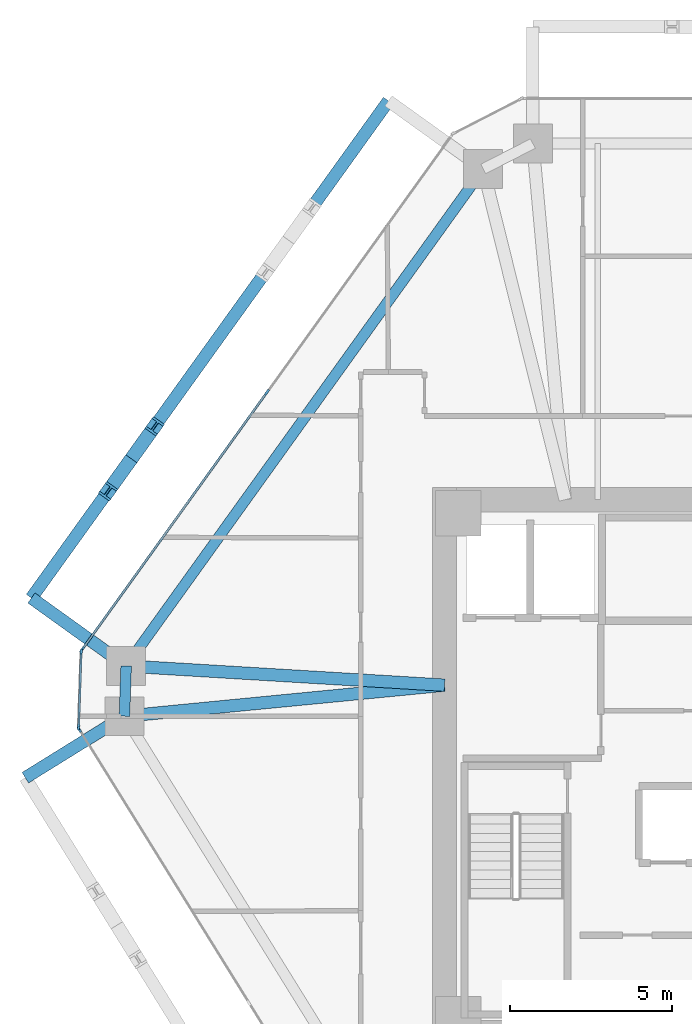
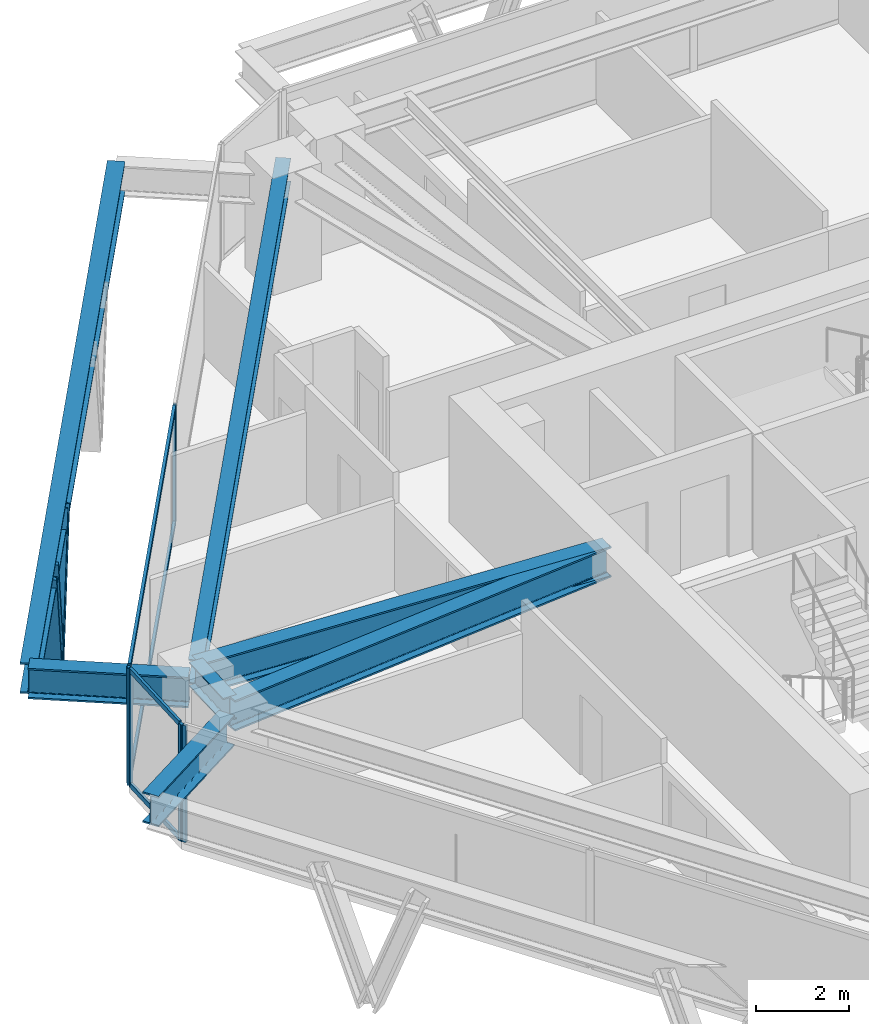
# One storey, part 4 of 14: 11 members, 7 beams, 3 elements without a shape of their own.
"""IFC4 building model written with IfcOpenShell, lengths in metres."""

import ifcopenshell
import ifcopenshell.guid

model = None  # the IFC model being written
_history = None  # IfcOwnerHistory: only IFC2X3 demands one
_inside = {}  # id of a spatial element -> (the spatial element, [elements in it])
_under = {}  # id of a project, library or spatial element -> (it, [spatial elements below it])
_declared = {}  # id of a project -> (the project, [libraries it declares])
_typed = {}  # id of a type object -> (the type object, [elements of that type])
_made_of = {}  # id of a material, layer set ... -> (it, [elements and type objects made of it])


def new_model(schema):
    """Start an empty IFC model of exactly this schema.

    Asked for "IFC4X3", IfcOpenShell would pick the latest addendum, in which some entities
    have other attributes; the version numbers below select the first issue.
    IFC2X3 requires an IfcOwnerHistory on every rooted entity: one is made here for all.
    """
    global model, _history
    if schema == "IFC4X3":
        model = ifcopenshell.file(schema_version=(4, 3, 0, 0))
    else:
        model = ifcopenshell.file(schema=schema)
    _inside.clear()
    _under.clear()
    _declared.clear()
    _typed.clear()
    _made_of.clear()
    _history = None
    if model.schema == "IFC2X3":
        org = make("IfcOrganization", Name="unknown")
        user = make(
            "IfcPersonAndOrganization",
            ThePerson=make("IfcPerson", FamilyName="unknown"),
            TheOrganization=org,
        )
        app = make(
            "IfcApplication",
            ApplicationDeveloper=org,
            Version="unknown",
            ApplicationFullName="unknown",
            ApplicationIdentifier="unknown",
        )
        _history = make(
            "IfcOwnerHistory",
            OwningUser=user,
            OwningApplication=app,
            ChangeAction="ADDED",
            CreationDate=0,
        )
    return model


def make(cls, **values):
    """One entity of the class cls with the attributes given. An attribute that is None is left unset."""
    return model.create_entity(
        cls, **{name: value for name, value in values.items() if value is not None}
    )


def rooted(cls, **values):
    """An entity with a GlobalId (a new one), such as an element, a storey or a relation."""
    return make(cls, GlobalId=ifcopenshell.guid.new(), OwnerHistory=_history, **values)


def si_unit(unit_type, name, prefix=None):
    """IfcSIUnit, for example si_unit("LENGTHUNIT", "METRE", prefix="MILLI")."""
    return make("IfcSIUnit", UnitType=unit_type, Prefix=prefix, Name=name)


def assignment(units):
    """IfcUnitAssignment: the units of a project."""
    return None if units is None else make("IfcUnitAssignment", Units=units)


def point(xyz):
    """IfcCartesianPoint."""
    return None if xyz is None else make("IfcCartesianPoint", Coordinates=xyz)


def direction(xyz):
    """IfcDirection."""
    return None if xyz is None else make("IfcDirection", DirectionRatios=xyz)


def frame(location, z_axis=None, x_axis=None):
    """IfcAxis2Placement3D, a coordinate frame: its origin and axes. An axis left out is left unset."""
    return make(
        "IfcAxis2Placement3D",
        Location=point(location),
        Axis=direction(z_axis),
        RefDirection=direction(x_axis),
    )


def frame_2d(location, x_axis=None):
    """IfcAxis2Placement2D, a coordinate frame in the plane: its origin and x axis."""
    return make(
        "IfcAxis2Placement2D", Location=point(location), RefDirection=direction(x_axis)
    )


def origin():
    """The frame at (0, 0, 0) with its axes left unset."""
    return frame((0.0, 0.0, 0.0))


def origin_2d():
    """The frame at (0, 0) in the plane with its x axis left unset."""
    return frame_2d((0.0, 0.0))


def place(relative_to, where):
    """IfcLocalPlacement: puts the frame where relative to a parent placement (None: the world)."""
    return make(
        "IfcLocalPlacement", PlacementRelTo=relative_to, RelativePlacement=where
    )


def context(
    kind, dimensions, precision=None, world=None, true_north=None, identifier=None
):
    """IfcGeometricRepresentationContext, for example the 3D "Model" context."""
    return make(
        "IfcGeometricRepresentationContext",
        ContextIdentifier=identifier,
        ContextType=kind,
        CoordinateSpaceDimension=dimensions,
        Precision=precision,
        WorldCoordinateSystem=world,
        TrueNorth=true_north,
    )


def subcontext(parent, identifier, kind, view, scale=None):
    """IfcGeometricRepresentationSubContext, for example "Body" below "Model"."""
    return make(
        "IfcGeometricRepresentationSubContext",
        ContextIdentifier=identifier,
        ContextType=kind,
        ParentContext=parent,
        TargetScale=scale,
        TargetView=view,
    )


def project(units=None, contexts=None):
    """IfcProject with its units and contexts."""
    return rooted(
        "IfcProject",
        Name="project",
        RepresentationContexts=contexts,
        UnitsInContext=assignment(units),
    )


def spatial(cls, under=None, at=None, **own):
    """A site, building, storey or space (cls), placed at a placement, below another one or the project."""
    s = rooted(cls, ObjectPlacement=at, **own)
    if under is not None:
        _under.setdefault(under.id(), (under, []))[1].append(s)
    return s


def profile(cls, at=None, kind="AREA", **sizes):
    """A parametric profile (cls). Its sizes go by their IFC names, for example OverallWidth=200.0."""
    return make(cls, ProfileType=kind, Position=at, **sizes)


def rectangle(**sizes):
    """IfcRectangleProfileDef."""
    return profile("IfcRectangleProfileDef", **sizes)


def i_section(**sizes):
    """IfcIShapeProfileDef."""
    return profile("IfcIShapeProfileDef", **sizes)


def extrude(swept, where, along, depth):
    """IfcExtrudedAreaSolid: the profile swept, set in the frame where, extruded along a direction by depth."""
    return make(
        "IfcExtrudedAreaSolid",
        SweptArea=swept,
        Position=where,
        ExtrudedDirection=direction(along),
        Depth=depth,
    )


def shape(context_of_items, identifier, shape_type, items):
    """IfcShapeRepresentation: the items that make up one representation, for example the "Body"."""
    return make(
        "IfcShapeRepresentation",
        ContextOfItems=context_of_items,
        RepresentationIdentifier=identifier,
        RepresentationType=shape_type,
        Items=items,
    )


def source(mapping_origin, context_of_items, identifier, shape_type, items):
    """IfcRepresentationMap: a shape defined once, which mapped items show again and again."""
    return make(
        "IfcRepresentationMap",
        MappingOrigin=mapping_origin,
        MappedRepresentation=shape(context_of_items, identifier, shape_type, items),
    )


def transform(
    local_origin,
    x_axis=None,
    y_axis=None,
    z_axis=None,
    scale=None,
    scale2=None,
    scale3=None,
    uniform=True,
):
    """IfcCartesianTransformationOperator3D, or its non-uniform kind. x_axis, y_axis, z_axis: its Axis1, 2, 3."""
    if uniform:
        return make(
            "IfcCartesianTransformationOperator3D",
            Axis1=direction(x_axis),
            Axis2=direction(y_axis),
            LocalOrigin=point(local_origin),
            Scale=scale,
            Axis3=direction(z_axis),
        )
    return make(
        "IfcCartesianTransformationOperator3DnonUniform",
        Axis1=direction(x_axis),
        Axis2=direction(y_axis),
        LocalOrigin=point(local_origin),
        Scale=scale,
        Axis3=direction(z_axis),
        Scale2=scale2,
        Scale3=scale3,
    )


def mapped(mapping_source, mapping_target):
    """IfcMappedItem: shows the shape of a source again, moved by a transform."""
    return make(
        "IfcMappedItem", MappingSource=mapping_source, MappingTarget=mapping_target
    )


def material(Name=None, Category=None):
    """IfcMaterial."""
    return make("IfcMaterial", Name=Name, Category=Category)


def layer(
    of_material, thickness, ventilated=None, Name=None, Category=None, Priority=None
):
    """IfcMaterialLayer: one layer of a wall or slab, of a material (None: an air gap)."""
    return make(
        "IfcMaterialLayer",
        Material=of_material,
        LayerThickness=thickness,
        IsVentilated=ventilated,
        Name=Name,
        Category=Category,
        Priority=Priority,
    )


def layer_set(layers, Name=None):
    """IfcMaterialLayerSet."""
    return make("IfcMaterialLayerSet", MaterialLayers=layers, LayerSetName=Name)


def material_profile(
    of_material, cross_section, Name=None, Category=None, Priority=None
):
    """IfcMaterialProfile: a cross section and its material."""
    return make(
        "IfcMaterialProfile",
        Name=Name,
        Material=of_material,
        Profile=cross_section,
        Priority=Priority,
        Category=Category,
    )


def profile_set(profiles, Name=None, composite=None):
    """IfcMaterialProfileSet."""
    return make(
        "IfcMaterialProfileSet",
        Name=Name,
        MaterialProfiles=profiles,
        CompositeProfile=composite,
    )


def made_of(thing, what):
    """Note that an element or type object is made of a material, layer set ...; save() writes the relation."""
    if what is not None:
        _made_of.setdefault(what.id(), (what, []))[1].append(thing)
    return thing


def type_object(cls, material=None, **own):
    """A type object (cls), such as IfcWallType, which elements share."""
    return made_of(rooted(cls, **own), material)


def type_shapes(of_type, sources):
    """Give a type object the sources (RepresentationMaps) that its elements show as mapped items."""
    of_type.RepresentationMaps = sources


def element(
    cls,
    number,
    at=None,
    inside=None,
    cuts=None,
    type_object=None,
    material=None,
    context=None,
    identifier="Body",
    shape_type=None,
    held_by="IfcProductDefinitionShape",
    body=None,
    shapes=None,
    **own,
):
    """One element of the class cls, such as IfcWall. Its Tag is "e" and its number.

    at: its placement. inside: the storey or other place that contains it. cuts: it is an
    opening in that element (IfcRelVoidsElement). A single representation is given by context,
    identifier, shape_type and body (its items); several are given by shapes. held_by: the class
    of the entity that holds the representations. save() writes the other relations.
    """
    e = rooted(cls, Tag="e%d" % number, ObjectPlacement=at, **own)
    if body is not None:
        shapes = [shape(context, identifier, shape_type, body)]
    if shapes is not None:
        e.Representation = make(held_by, Representations=shapes)
    if inside is not None:
        _inside.setdefault(inside.id(), (inside, []))[1].append(e)
    if cuts is not None:
        rooted(
            "IfcRelVoidsElement", RelatingBuildingElement=cuts, RelatedOpeningElement=e
        )
    if type_object is not None:
        _typed.setdefault(type_object.id(), (type_object, []))[1].append(e)
    return made_of(e, material)


def aggregate(whole, parts):
    """IfcRelAggregates: a whole, such as a stair, and the parts it consists of."""
    return rooted("IfcRelAggregates", RelatingObject=whole, RelatedObjects=parts)


def save(model, path):
    """Write the relations noted so far, then the file.

    IfcRelAggregates (storeys below a building ...), IfcRelContainedInSpatialStructure (elements
    in a storey), IfcRelDefinesByType, IfcRelAssociatesMaterial and IfcRelDeclares: one each for
    every whole, place, type object, material and project.
    """
    for whole, parts in _under.values():
        aggregate(whole, parts)
    for where, things in _inside.values():
        rooted(
            "IfcRelContainedInSpatialStructure",
            RelatedElements=things,
            RelatingStructure=where,
        )
    for kind, things in _typed.values():
        rooted("IfcRelDefinesByType", RelatedObjects=things, RelatingType=kind)
    for what, things in _made_of.values():
        rooted("IfcRelAssociatesMaterial", RelatedObjects=things, RelatingMaterial=what)
    for by, libraries in _declared.values():
        rooted("IfcRelDeclares", RelatingContext=by, RelatedDefinitions=libraries)
    model.write(path)


model = new_model("IFC4")

# Units and contexts
model_context = context("Model", 3, precision=1e-05, world=origin(), true_north=direction((0.0, 1.0)))
body_context = subcontext(model_context, "Body", "Model", "MODEL_VIEW")
ifc_project = project(units=[si_unit("LENGTHUNIT", "METRE"), si_unit("AREAUNIT", "SQUARE_METRE"), si_unit("VOLUMEUNIT", "CUBIC_METRE"), si_unit("PLANEANGLEUNIT", "RADIAN"), si_unit("MASSUNIT", "GRAM", prefix="KILO")], contexts=[model_context])

# Site, building, storey
site_placement = place(None, origin())
site = spatial("IfcSite", under=ifc_project, at=site_placement, CompositionType="ELEMENT")
building_placement = place(site_placement, origin())
building = spatial("IfcBuilding", under=site, at=building_placement, Name="Durnholm Broadcast Tower", CompositionType="ELEMENT")
storey_placement = place(building_placement, frame((0.0, 0.0, 114.0)))
storey = spatial("IfcBuildingStorey", under=building, at=storey_placement, Name="L30", CompositionType="ELEMENT", Elevation=114.0)

# Beams
ifc_material_1 = material(Name="Steel ASTM A992 Grade 50", Category="steel")
ifc_material_profile_1 = material_profile(ifc_material_1, i_section(OverallWidth=0.385009765625, OverallDepth=0.802978515625, WebThickness=0.023681640625, FlangeThickness=0.0419921875, FilletRadius=0.032958984375, at=origin_2d()), Name="W30X261")
ifc_profile_set_1 = profile_set([ifc_material_profile_1], Name="Steel ASTM A992 Grade 50")
beam_type_1 = type_object("IfcBeamType", Name="BM-EXO-TIE", PredefinedType="USERDEFINED", material=ifc_profile_set_1)
shared_shape_1 = source(origin(), body_context, "Body", "SweptSolid", [
    extrude(i_section(OverallWidth=0.385009765625, OverallDepth=0.802978515625, WebThickness=0.023681640625, FlangeThickness=0.0419921875, FilletRadius=0.032958984375, at=origin_2d()), origin(), (0.0, 0.0, 1.0), 3.4560546875),
])
for number, where, z_axis, x_axis, name in (
    (1, (-20.1669921875, 3.175048828125, 2.30859375), (-0.812164951739, 0.583427880005, 0.0), (-0.583427880005, -0.812164951739, 0.0), "L30 exoskeleton stand-off tie bracket F5.2"),
    (2, (-20.22509765625, 1.465576171875, 2.30859375), (-0.849795112316, -0.527113144481, 0.0), (0.527113144481, -0.849795112316, 0.0), "L30 exoskeleton stand-off tie bracket F6.1"),
):
    element("IfcBeam", number, at=place(storey_placement, frame(where, z_axis=z_axis, x_axis=x_axis)), inside=storey, type_object=beam_type_1, Name=name, ObjectType="GIRDER", PredefinedType="USERDEFINED", context=body_context, shape_type="MappedRepresentation", body=[
        mapped(shared_shape_1, transform((0.0, 0.0, 0.0), x_axis=(1.0, 0.0, 0.0), y_axis=(0.0, 1.0, 0.0), z_axis=(0.0, 0.0, 1.0), scale=1.0)),
    ])
ifc_material_profile_2 = material_profile(ifc_material_1, i_section(OverallWidth=0.3291015625, OverallDepth=0.635009765625, WebThickness=0.017822265625, FlangeThickness=0.031005859375, FilletRadius=0.02783203125, at=origin_2d()), Name="W24X162")
ifc_profile_set_2 = profile_set([ifc_material_profile_2], Name="Steel ASTM A992 Grade 50")
beam_type_2 = type_object("IfcBeamType", Name="STL-SP-W24X162", PredefinedType="SPANDREL", material=ifc_profile_set_2)
shared_shape_2 = source(origin(), body_context, "Body", "SweptSolid", [
    extrude(i_section(OverallWidth=0.3291015625, OverallDepth=0.635009765625, WebThickness=0.017822265625, FlangeThickness=0.031005859375, FilletRadius=0.02783203125, at=origin_2d()), origin(), (0.0, 0.0, 1.0), 1.550537109375),
])
beam_1_placement = place(storey_placement, frame((-20.102783203125, 1.54150390625, 2.7275390625), z_axis=(0.034012135923, 0.999421419928, 0.0), x_axis=(-0.999421419928, 0.034012135923, 0.0)))
element("IfcBeam", 3, at=beam_1_placement, inside=storey, type_object=beam_type_2, Name="L30 perimeter spandrel girder 02", PredefinedType="SPANDREL", context=body_context, shape_type="MappedRepresentation", body=[
    mapped(shared_shape_2, transform((0.0, 0.0, 0.0), x_axis=(1.0, 0.0, 0.0), y_axis=(0.0, 1.0, 0.0), z_axis=(0.0, 0.0, 1.0), scale=1.0)),
])
shared_shape_3 = source(origin(), body_context, "Body", "SweptSolid", [
    extrude(i_section(OverallWidth=0.3291015625, OverallDepth=0.635009765625, WebThickness=0.017822265625, FlangeThickness=0.031005859375, FilletRadius=0.02783203125, at=origin_2d()), origin(), (0.0, 0.0, 1.0), 18.884521484375),
])
type_shapes(beam_type_2, [shared_shape_2, shared_shape_3])
beam_2_placement = place(storey_placement, frame((-20.050048828125, 3.091064453125, 2.7275390625), z_axis=(0.583443434414, 0.812153777827, 0.0), x_axis=(-0.812153777827, 0.583443434414, 0.0)))
element("IfcBeam", 4, at=beam_2_placement, inside=storey, type_object=beam_type_2, Name="L30 perimeter spandrel girder 03", PredefinedType="SPANDREL", context=body_context, shape_type="MappedRepresentation", body=[
    mapped(shared_shape_3, transform((0.0, 0.0, 0.0), x_axis=(1.0, 0.0, 0.0), y_axis=(0.0, 1.0, 0.0), z_axis=(0.0, 0.0, 1.0), scale=1.0)),
])
ifc_material_profile_3 = material_profile(ifc_material_1, i_section(OverallWidth=0.385009765625, OverallDepth=0.802978515625, WebThickness=0.023681640625, FlangeThickness=0.0419921875, FilletRadius=0.032958984375, at=origin_2d()), Name="W30X261")
ifc_profile_set_3 = profile_set([ifc_material_profile_3], Name="Steel ASTM A992 Grade 50")
beam_type_3 = type_object("IfcBeamType", Name="STL-GR-W30X261", PredefinedType="USERDEFINED", material=ifc_profile_set_3)
shared_shape_4 = source(origin(), body_context, "Body", "SweptSolid", [
    extrude(i_section(OverallWidth=0.385009765625, OverallDepth=0.802978515625, WebThickness=0.023681640625, FlangeThickness=0.0419921875, FilletRadius=0.032958984375, at=origin_2d()), origin(), (0.0, 0.0, 1.0), 9.924072265625),
])
beam_3_placement = place(storey_placement, frame((-10.22509765625, 2.5, 2.6435546875), z_axis=(-0.995324947968, -0.096582855378, 0.0), x_axis=(0.096582855378, -0.995324947968, 0.0)))
element("IfcBeam", 5, at=beam_3_placement, inside=storey, type_object=beam_type_3, Name="L30 radial primary floor girder 02", ObjectType="GIRDER", PredefinedType="USERDEFINED", context=body_context, shape_type="MappedRepresentation", body=[
    mapped(shared_shape_4, transform((0.0, 0.0, 0.0), x_axis=(1.0, 0.0, 0.0), y_axis=(0.0, 1.0, 0.0), z_axis=(0.0, 0.0, 1.0), scale=1.0)),
])
shared_shape_5 = source(origin(), body_context, "Body", "SweptSolid", [
    extrude(i_section(OverallWidth=0.385009765625, OverallDepth=0.802978515625, WebThickness=0.023681640625, FlangeThickness=0.0419921875, FilletRadius=0.032958984375, at=origin_2d()), origin(), (0.0, 0.0, 1.0), 9.8427734375),
])
type_shapes(beam_type_3, [shared_shape_4, shared_shape_5])
beam_4_placement = place(storey_placement, frame((-10.22509765625, 2.5, 2.6435546875), z_axis=(-0.998195312551, 0.0600509617, 0.0), x_axis=(-0.0600509617, -0.998195312551, 0.0)))
element("IfcBeam", 6, at=beam_4_placement, inside=storey, type_object=beam_type_3, Name="L30 radial primary floor girder 03", ObjectType="GIRDER", PredefinedType="USERDEFINED", context=body_context, shape_type="MappedRepresentation", body=[
    mapped(shared_shape_5, transform((0.0, 0.0, 0.0), x_axis=(1.0, 0.0, 0.0), y_axis=(0.0, 1.0, 0.0), z_axis=(0.0, 0.0, 1.0), scale=1.0)),
])
shared_shape_6 = source(origin(), body_context, "Body", "SweptSolid", [
    extrude(i_section(OverallWidth=0.385009765625, OverallDepth=0.802978515625, WebThickness=0.023681640625, FlangeThickness=0.0419921875, FilletRadius=0.032958984375, at=origin_2d()), origin(), (0.0, 0.0, 1.0), 18.884765625),
])
type_shapes(beam_type_1, [shared_shape_1, shared_shape_6])
beam_5_placement = place(storey_placement, frame((-11.955810546875, 20.52880859375, 2.30859375), z_axis=(-0.583437308554, -0.812158178551, 0.0), x_axis=(0.812158178551, -0.583437308554, 0.0)))
element("IfcBeam", 7, at=beam_5_placement, inside=storey, type_object=beam_type_1, Name="L30 exoskeleton collector spandrel F5", PredefinedType="SPANDREL", context=body_context, shape_type="MappedRepresentation", body=[
    mapped(shared_shape_6, transform((0.0, 0.0, 0.0), x_axis=(1.0, 0.0, 0.0), y_axis=(0.0, 1.0, 0.0), z_axis=(0.0, 0.0, 1.0), scale=1.0)),
])

# Members
ifc_material_2 = material(Name="Steel ASTM A913 Grade 65", Category="steel")
ifc_material_profile_4 = material_profile(ifc_material_2, i_section(OverallWidth=0.424072265625, OverallDepth=0.47412109375, WebThickness=0.047607421875, FlangeThickness=0.0771484375, FilletRadius=0.030517578125, at=origin_2d()), Name="W14X426")
ifc_profile_set_4 = profile_set([ifc_material_profile_4], Name="Steel ASTM A913 Grade 65")
member_type_1 = type_object("IfcMemberType", Name="STL-DG-W14X426", PredefinedType="BRACE", material=ifc_profile_set_4)
shared_shape_7 = source(origin(), body_context, "Body", "SweptSolid", [
    extrude(i_section(OverallWidth=0.424072265625, OverallDepth=0.47412109375, WebThickness=0.047607421875, FlangeThickness=0.0771484375, FilletRadius=0.030517578125, at=origin_2d()), origin(), (0.0, 0.0, 1.0), 3.523193359375),
])
type_shapes(member_type_1, [shared_shape_7])
for number, where, z_axis, x_axis, name in (
    (8, (-19.888916015625, 9.48583984375, -0.991455078125), (0.204350195342, 0.284454917557, 0.936657033039), (-0.812153063014, 0.583444429434, 0.0), "L30 stand-off diagrid brace F5.D2.1"),
    (9, (-19.888916015625, 9.48583984375, -0.991455078125), (-0.204287819296, -0.284395254542, 0.936688756248), (0.812179469647, -0.583407669717, 0.0), "L30 stand-off diagrid brace F5.D2.2"),
):
    element("IfcMember", number, at=place(storey_placement, frame(where, z_axis=z_axis, x_axis=x_axis)), inside=storey, type_object=member_type_1, Name=name, PredefinedType="BRACE", context=body_context, shape_type="MappedRepresentation", body=[
        mapped(shared_shape_7, transform((0.0, 0.0, 0.0), x_axis=(1.0, 0.0, 0.0), y_axis=(0.0, 1.0, 0.0), z_axis=(0.0, 0.0, 1.0), scale=1.0)),
    ])

# Curtain wall, members
ifc_material_3 = material(Name="Aluminium and Solar Control IGU", Category="aluminium")
ifc_layer_1 = layer(ifc_material_3, 0.1650390625)
ifc_layer_set_1 = layer_set([ifc_layer_1], Name="Aluminium and Solar Control IGU")
curtain_wall_type_1 = type_object("IfcCurtainWallType", Name="CW-SYS-5", PredefinedType="NOTDEFINED", material=ifc_layer_set_1)
curtain_wall_1_placement = place(storey_placement, origin())
curtain_wall_1 = element("IfcCurtainWall", 10, at=curtain_wall_1_placement, inside=storey, type_object=curtain_wall_type_1, Name="L30 curtain wall CW-CORNER CW-L30-CRN-01", PredefinedType="NOTDEFINED")
ifc_material_4 = material(Name="Aluminium 6063-T6", Category="aluminium")
ifc_material_profile_5 = material_profile(ifc_material_4, rectangle(XDim=0.06494140625, YDim=0.1650390625, at=origin_2d()), Name="CWM65X165")
ifc_profile_set_5 = profile_set([ifc_material_profile_5], Name="Aluminium 6063-T6")
member_type_2 = type_object("IfcMemberType", Name="CW-SYS-5-MUL", PredefinedType="MULLION", material=ifc_profile_set_5)
shared_shape_8 = source(origin(), body_context, "Body", "SweptSolid", [
    extrude(rectangle(XDim=0.06494140625, YDim=0.1650390625, at=origin_2d()), origin(), (0.0, 0.0, 1.0), 3.06005859375),
])
type_shapes(member_type_2, [shared_shape_8])
member_1_placement = place(storey_placement, frame((-21.51513671875, 1.19677734375, 0.0), z_axis=(0.0, 0.0, 1.0), x_axis=(-0.999424655155, 0.033916937775, 0.0)))
member_1 = element("IfcMember", 11, at=member_1_placement, type_object=member_type_2, Name="CW-CORNER mullion 1", PredefinedType="MULLION", context=body_context, shape_type="MappedRepresentation", body=[
    mapped(shared_shape_8, transform((0.0, 0.0, 0.0), x_axis=(1.0, 0.0, 0.0), y_axis=(0.0, 1.0, 0.0), z_axis=(0.0, 0.0, 1.0), scale=1.0)),
])
member_2_placement = place(storey_placement, frame((-21.43603515625, 3.530517578125, 0.0), z_axis=(0.0, 0.0, 1.0), x_axis=(-0.999424655155, 0.033916937775, 0.0)))
member_2 = element("IfcMember", 12, at=member_2_placement, type_object=member_type_2, Name="CW-CORNER mullion 2", PredefinedType="MULLION", context=body_context, shape_type="MappedRepresentation", body=[
    mapped(shared_shape_8, transform((0.0, 0.0, 0.0), x_axis=(1.0, 0.0, 0.0), y_axis=(0.0, 1.0, 0.0), z_axis=(0.0, 0.0, 1.0), scale=1.0)),
])

ifc_layer_2 = layer(ifc_material_3, 0.18994140625)
ifc_layer_set_2 = layer_set([ifc_layer_2], Name="Aluminium and Solar Control IGU")
curtain_wall_type_2 = type_object("IfcCurtainWallType", Name="CW-SYS-3", PredefinedType="NOTDEFINED", material=ifc_layer_set_2)
curtain_wall_2_placement = place(storey_placement, origin())
curtain_wall_2 = element("IfcCurtainWall", 13, at=curtain_wall_2_placement, inside=storey, type_object=curtain_wall_type_2, Name="L30 curtain wall CW-Z12-VIS CW-L30-F02", PredefinedType="NOTDEFINED")
ifc_material_profile_6 = material_profile(ifc_material_4, rectangle(XDim=0.070068359375, YDim=0.18994140625, at=origin_2d()), Name="CWM70X190")
ifc_profile_set_6 = profile_set([ifc_material_profile_6], Name="Aluminium 6063-T6")
member_type_3 = type_object("IfcMemberType", Name="CW-SYS-3-MUL", PredefinedType="MULLION", material=ifc_profile_set_6)
shared_shape_9 = source(origin(), body_context, "Body", "SweptSolid", [
    extrude(rectangle(XDim=0.070068359375, YDim=0.18994140625, at=origin_2d()), origin(), (0.0, 0.0, 1.0), 3.06005859375),
])
type_shapes(member_type_3, [shared_shape_9])
member_3_placement = place(storey_placement, frame((-21.41455078125, 3.59130859375, 0.0), z_axis=(0.0, 0.0, 1.0), x_axis=(-0.812152312759, 0.583445473786, 0.0)))
member_3 = element("IfcMember", 14, at=member_3_placement, type_object=member_type_3, Name="CW-Z12-VIS mullion 1", PredefinedType="MULLION", context=body_context, shape_type="MappedRepresentation", body=[
    mapped(shared_shape_9, transform((0.0, 0.0, 0.0), x_axis=(1.0, 0.0, 0.0), y_axis=(0.0, 1.0, 0.0), z_axis=(0.0, 0.0, 1.0), scale=1.0)),
])
member_4_placement = place(storey_placement, frame((-15.703369140625, 11.541259765625, 0.0), z_axis=(0.0, 0.0, 1.0), x_axis=(-0.812152312759, 0.583445473786, 0.0)))
member_4 = element("IfcMember", 15, at=member_4_placement, type_object=member_type_3, Name="CW-Z12-VIS mullion 2", PredefinedType="MULLION", context=body_context, shape_type="MappedRepresentation", body=[
    mapped(shared_shape_9, transform((0.0, 0.0, 0.0), x_axis=(1.0, 0.0, 0.0), y_axis=(0.0, 1.0, 0.0), z_axis=(0.0, 0.0, 1.0), scale=1.0)),
])

# Curtain wall, member
curtain_wall_3_placement = place(storey_placement, origin())
curtain_wall_3 = element("IfcCurtainWall", 16, at=curtain_wall_3_placement, inside=storey, type_object=curtain_wall_type_2, Name="L30 curtain wall CW-Z12-VIS CW-L30-F12", PredefinedType="NOTDEFINED")
member_5_placement = place(storey_placement, frame((-21.497802734375, 1.134765625, 0.0), z_axis=(0.0, 0.0, 1.0), x_axis=(-0.849799925229, -0.527105385176, 0.0)))
member_5 = element("IfcMember", 17, at=member_5_placement, type_object=member_type_3, Name="CW-Z12-VIS mullion 3", PredefinedType="MULLION", context=body_context, shape_type="MappedRepresentation", body=[
    mapped(shared_shape_9, transform((0.0, 0.0, 0.0), x_axis=(1.0, 0.0, 0.0), y_axis=(0.0, 1.0, 0.0), z_axis=(0.0, 0.0, 1.0), scale=1.0)),
])
aggregate(curtain_wall_3, [member_5])

# Member
ifc_material_profile_7 = material_profile(ifc_material_4, rectangle(XDim=0.06494140625, YDim=0.1298828125, at=origin_2d()), Name="CWT65X130")
ifc_profile_set_7 = profile_set([ifc_material_profile_7], Name="Aluminium 6063-T6")
member_type_4 = type_object("IfcMemberType", Name="CW-SYS-5-TRN", PredefinedType="USERDEFINED", material=ifc_profile_set_7)
shared_shape_10 = source(origin(), body_context, "Body", "SweptSolid", [
    extrude(rectangle(XDim=0.06494140625, YDim=0.1298828125, at=origin_2d()), origin(), (0.0, 0.0, 1.0), 2.27001953125),
])
type_shapes(member_type_4, [shared_shape_10])
member_6_placement = place(storey_placement, frame((-21.51416015625, 1.229248046875, 0.032470703125), z_axis=(0.03398444704, 0.999422361847, 0.0), x_axis=(-0.999422361847, 0.03398444704, 0.0)))
member_6 = element("IfcMember", 18, at=member_6_placement, type_object=member_type_4, Name="CW-CORNER transom 1.1", ObjectType="TRANSOM", PredefinedType="USERDEFINED", context=body_context, shape_type="MappedRepresentation", body=[
    mapped(shared_shape_10, transform((0.0, 0.0, 0.0), x_axis=(1.0, 0.0, 0.0), y_axis=(0.0, 1.0, 0.0), z_axis=(0.0, 0.0, 1.0), scale=1.0)),
])

member_7_placement = place(storey_placement, frame((-21.51416015625, 1.229248046875, 3.027587890625), z_axis=(0.03398444704, 0.999422361847, 0.0), x_axis=(-0.999422361847, 0.03398444704, 0.0)))
member_7 = element("IfcMember", 19, at=member_7_placement, type_object=member_type_4, Name="CW-CORNER transom 1.2", ObjectType="TRANSOM", PredefinedType="USERDEFINED", context=body_context, shape_type="MappedRepresentation", body=[
    mapped(shared_shape_10, transform((0.0, 0.0, 0.0), x_axis=(1.0, 0.0, 0.0), y_axis=(0.0, 1.0, 0.0), z_axis=(0.0, 0.0, 1.0), scale=1.0)),
])

aggregate(curtain_wall_1, [member_1, member_2, member_6, member_7])

ifc_material_profile_8 = material_profile(ifc_material_4, rectangle(XDim=0.070068359375, YDim=0.14990234375, at=origin_2d()), Name="CWT70X150")
ifc_profile_set_8 = profile_set([ifc_material_profile_8], Name="Aluminium 6063-T6")
member_type_5 = type_object("IfcMemberType", Name="CW-SYS-3-TRN", PredefinedType="USERDEFINED", material=ifc_profile_set_8)
shared_shape_11 = source(origin(), body_context, "Body", "SweptSolid", [
    extrude(rectangle(XDim=0.070068359375, YDim=0.14990234375, at=origin_2d()), origin(), (0.0, 0.0, 1.0), 9.71875),
])
type_shapes(member_type_5, [shared_shape_11])
member_8_placement = place(storey_placement, frame((-21.39404296875, 3.619873046875, 0.034912109375), z_axis=(0.583450726174, 0.812148539448, 0.0), x_axis=(-0.812148539448, 0.583450726174, 0.0)))
member_8 = element("IfcMember", 20, at=member_8_placement, type_object=member_type_5, Name="CW-Z12-VIS transom 1.1", ObjectType="TRANSOM", PredefinedType="USERDEFINED", context=body_context, shape_type="MappedRepresentation", body=[
    mapped(shared_shape_11, transform((0.0, 0.0, 0.0), x_axis=(1.0, 0.0, 0.0), y_axis=(0.0, 1.0, 0.0), z_axis=(0.0, 0.0, 1.0), scale=1.0)),
])

member_9_placement = place(storey_placement, frame((-21.39404296875, 3.619873046875, 3.02490234375), z_axis=(0.583450726174, 0.812148539448, 0.0), x_axis=(-0.812148539448, 0.583450726174, 0.0)))
member_9 = element("IfcMember", 21, at=member_9_placement, type_object=member_type_5, Name="CW-Z12-VIS transom 1.2", ObjectType="TRANSOM", PredefinedType="USERDEFINED", context=body_context, shape_type="MappedRepresentation", body=[
    mapped(shared_shape_11, transform((0.0, 0.0, 0.0), x_axis=(1.0, 0.0, 0.0), y_axis=(0.0, 1.0, 0.0), z_axis=(0.0, 0.0, 1.0), scale=1.0)),
])

aggregate(curtain_wall_2, [member_3, member_4, member_8, member_9])

save(model, "model.ifc")
